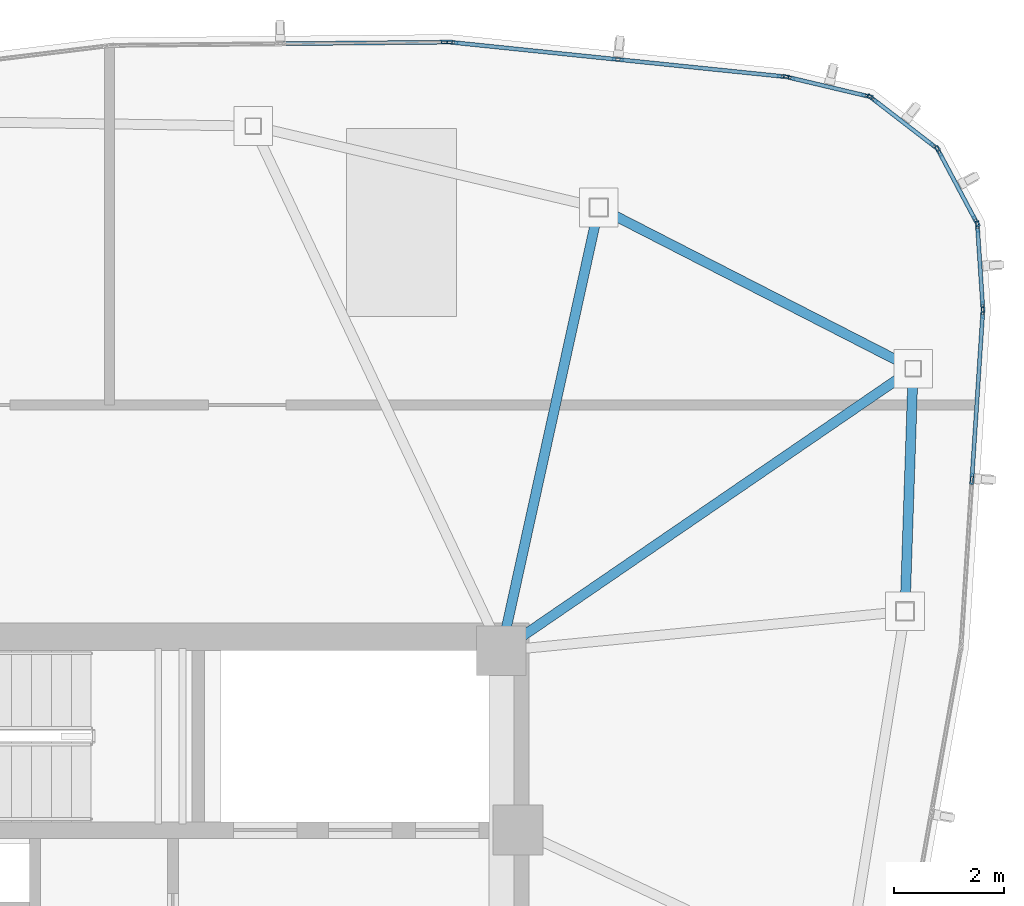
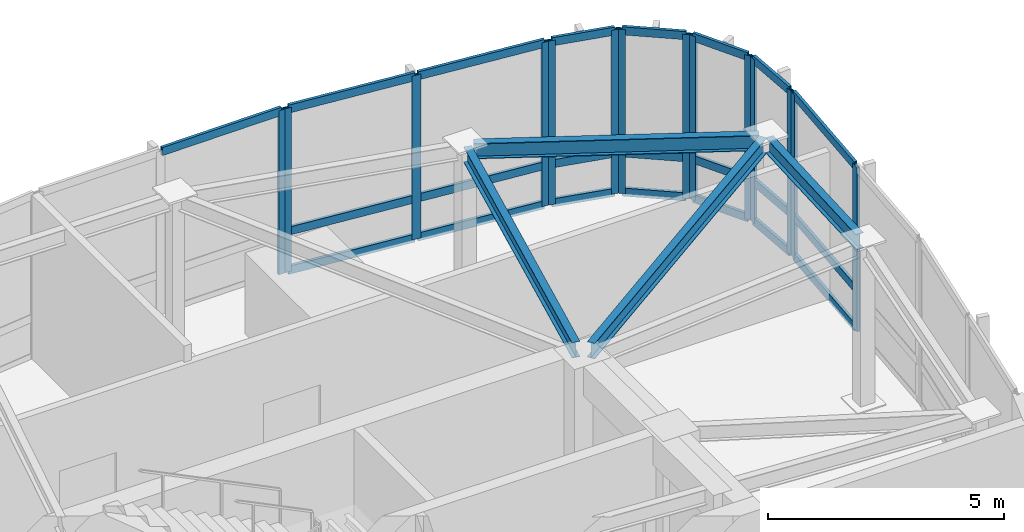
# One storey, part 5 of 11: 36 members, 4 beams, 7 elements without a shape of their own.
"""IFC4 building model written with IfcOpenShell, lengths in metres."""

from ifc_helpers import new_model, si_unit, direction, frame, origin, origin_2d, place, context, subcontext, project, spatial, hollow_rectangle, i_section, extrude, source, transform, mapped, material, layer, layer_set, material_profile, profile_set, type_object, type_shapes, element, aggregate, save


model = new_model("IFC4")

# Units and contexts
model_context = context("Model", 3, precision=1e-05, world=origin(), true_north=direction((0.0, 1.0)))
body_context = subcontext(model_context, "Body", "Model", "MODEL_VIEW")
ifc_project = project(units=[si_unit("LENGTHUNIT", "METRE"), si_unit("AREAUNIT", "SQUARE_METRE"), si_unit("VOLUMEUNIT", "CUBIC_METRE"), si_unit("PLANEANGLEUNIT", "RADIAN"), si_unit("MASSUNIT", "GRAM", prefix="KILO")], contexts=[model_context])

# Site, building, storey
site_placement = place(None, origin())
site = spatial("IfcSite", under=ifc_project, at=site_placement, CompositionType="ELEMENT")
building_placement = place(site_placement, origin())
building = spatial("IfcBuilding", under=site, at=building_placement, Name="Tavelor Broadcast Tower", CompositionType="ELEMENT")
storey_placement = place(building_placement, frame((0.0, 0.0, 345.89990234375)))
storey = spatial("IfcBuildingStorey", under=building, at=storey_placement, Name="L82", CompositionType="ELEMENT", Elevation=345.89990234375)

# Beams
ifc_material_1 = material(Name="Steel S355", Category="steel")
ifc_material_profile_1 = material_profile(ifc_material_1, i_section(OverallWidth=0.179931640625, OverallDepth=0.39990234375, WebThickness=0.008544921875, FlangeThickness=0.013427734375, at=origin_2d()), Name="IPE 400")
ifc_profile_set_1 = profile_set([ifc_material_profile_1], Name="Steel S355")
beam_type = type_object("IfcBeamType", Name="Crown Ring Spandrel Beam IPE400", PredefinedType="SPANDREL", material=ifc_profile_set_1)
beam_1_placement = place(storey_placement, frame((63.9169921875, 52.089111328125, 4.050048828125), z_axis=(0.033482656619, 0.99943929866, 0.0), x_axis=(-0.99943929866, 0.033482656619, 0.0)))
element("IfcBeam", 1, at=beam_1_placement, inside=storey, type_object=beam_type, Name="L82 Crown Peak A Ring Spandrel 5", PredefinedType="SPANDREL", context=body_context, shape_type="SweptSolid", body=[
    extrude(i_section(OverallWidth=0.179931640625, OverallDepth=0.39990234375, WebThickness=0.008544921875, FlangeThickness=0.013427734375, at=origin_2d()), origin(), (0.0, 0.0, 1.0), 4.068603515625),
])
beam_2_placement = place(storey_placement, frame((63.922119140625, 56.37841796875, 4.050048828125), z_axis=(-0.889973264193, 0.456012707083, 0.0), x_axis=(-0.456012707083, -0.889973264193, 0.0)))
element("IfcBeam", 2, at=beam_2_placement, inside=storey, type_object=beam_type, Name="L82 Crown Peak A Ring Spandrel 6", PredefinedType="SPANDREL", context=body_context, shape_type="SweptSolid", body=[
    extrude(i_section(OverallWidth=0.179931640625, OverallDepth=0.39990234375, WebThickness=0.008544921875, FlangeThickness=0.013427734375, at=origin_2d()), origin(), (0.0, 0.0, 1.0), 6.06689453125),
])
beam_3_placement = place(storey_placement, frame((56.956298828125, 51.444091796875, 4.050048828125), z_axis=(0.825037324604, 0.565078236185, 0.0), x_axis=(-0.565078236185, 0.825037324604, 0.0)))
element("IfcBeam", 3, at=beam_3_placement, inside=storey, type_object=beam_type, Name="L82 Crown Peak A Radial Beam 6", PredefinedType="SPANDREL", context=body_context, shape_type="SweptSolid", body=[
    extrude(i_section(OverallWidth=0.179931640625, OverallDepth=0.39990234375, WebThickness=0.008544921875, FlangeThickness=0.013427734375, at=origin_2d()), origin(), (0.0, 0.0, 1.0), 8.455078125),
])
beam_4_placement = place(storey_placement, frame((56.692626953125, 51.621826171875, 4.050048828125), z_axis=(0.21466342247, 0.976688084832, 0.0), x_axis=(-0.976688084832, 0.21466342247, 0.0)))
element("IfcBeam", 4, at=beam_4_placement, inside=storey, type_object=beam_type, Name="L82 Crown Peak A Radial Beam 7", PredefinedType="SPANDREL", context=body_context, shape_type="SweptSolid", body=[
    extrude(i_section(OverallWidth=0.179931640625, OverallDepth=0.39990234375, WebThickness=0.008544921875, FlangeThickness=0.013427734375, at=origin_2d()), origin(), (0.0, 0.0, 1.0), 7.607421875),
])

# Curtain wall, members
ifc_material_2 = material(Name="Architectural Anodized Aluminium", Category="aluminium")
ifc_layer = layer(ifc_material_2, 0.2099609375)
ifc_layer_set = layer_set([ifc_layer], Name="Architectural Anodized Aluminium")
curtain_wall_type = type_object("IfcCurtainWallType", Name="Split-Crown Beacon Curtain Wall CW06", PredefinedType="NOTDEFINED", material=ifc_layer_set)
curtain_wall_1_placement = place(storey_placement, origin())
curtain_wall_1 = element("IfcCurtainWall", 5, at=curtain_wall_1_placement, inside=storey, type_object=curtain_wall_type, Name="L82 Curtain Wall CW06 Run 956", PredefinedType="NOTDEFINED")
ifc_material_profile_2 = material_profile(ifc_material_2, hollow_rectangle(XDim=0.072021484375, YDim=0.2099609375, WallThickness=0.02197265625, at=origin_2d()), Name="RHS 72x210x22")
ifc_profile_set_2 = profile_set([ifc_material_profile_2], Name="Architectural Anodized Aluminium")
member_type_1 = type_object("IfcMemberType", Name="CW06 Extruded Aluminium Mullion 72x210", PredefinedType="MULLION", material=ifc_profile_set_2)
shared_shape_1 = source(origin(), body_context, "Body", "SweptSolid", [
    extrude(hollow_rectangle(XDim=0.072021484375, YDim=0.2099609375, WallThickness=0.02197265625, at=origin_2d()), origin(), (0.0, 0.0, 1.0), 4.25),
])
type_shapes(member_type_1, [shared_shape_1])
member_1_placement = place(storey_placement, frame((65.12353515625, 54.317138671875, 0.0), z_axis=(0.0, 0.0, 1.0), x_axis=(-0.99789420234, 0.064862631275, 0.0)))
member_1 = element("IfcMember", 6, at=member_1_placement, type_object=member_type_1, Name="CW06 mullion 2", PredefinedType="MULLION", context=body_context, shape_type="MappedRepresentation", body=[
    mapped(shared_shape_1, transform((0.0, 0.0, 0.0), scale=1.0)),
])
member_2_placement = place(storey_placement, frame((65.319091796875, 57.324462890625, 0.0), z_axis=(0.0, 0.0, 1.0), x_axis=(-0.99789420234, 0.064862631275, 0.0)))
member_2 = element("IfcMember", 7, at=member_2_placement, type_object=member_type_1, Name="CW06 mullion 3", PredefinedType="MULLION", context=body_context, shape_type="MappedRepresentation", body=[
    mapped(shared_shape_1, transform((0.0, 0.0, 0.0), scale=1.0)),
])

curtain_wall_2_placement = place(storey_placement, origin())
curtain_wall_2 = element("IfcCurtainWall", 8, at=curtain_wall_2_placement, inside=storey, type_object=curtain_wall_type, Name="L82 Curtain Wall CW06 Run 957", PredefinedType="NOTDEFINED")
member_3_placement = place(storey_placement, frame((65.319091796875, 57.426025390625, 0.0), z_axis=(0.0, 0.0, 1.0), x_axis=(-0.997860792135, -0.065374609131, 0.0)))
member_3 = element("IfcMember", 9, at=member_3_placement, type_object=member_type_1, Name="CW06 mullion 1", PredefinedType="MULLION", context=body_context, shape_type="MappedRepresentation", body=[
    mapped(shared_shape_1, transform((0.0, 0.0, 0.0), scale=1.0)),
])
member_4_placement = place(storey_placement, frame((65.2236328125, 58.882080078125, 0.0), z_axis=(0.0, 0.0, 1.0), x_axis=(-0.997860792135, -0.065374609131, 0.0)))
member_4 = element("IfcMember", 10, at=member_4_placement, type_object=member_type_1, Name="CW06 mullion 2", PredefinedType="MULLION", context=body_context, shape_type="MappedRepresentation", body=[
    mapped(shared_shape_1, transform((0.0, 0.0, 0.0), scale=1.0)),
])

curtain_wall_3_placement = place(storey_placement, origin())
curtain_wall_3 = element("IfcCurtainWall", 11, at=curtain_wall_3_placement, inside=storey, type_object=curtain_wall_type, Name="L82 Curtain Wall CW06 Run 958", PredefinedType="NOTDEFINED")
member_5_placement = place(storey_placement, frame((65.1962890625, 58.97802734375, 0.0), z_axis=(0.0, 0.0, 1.0), x_axis=(-0.882552661095, -0.470213568918, 0.0)))
member_5 = element("IfcMember", 12, at=member_5_placement, type_object=member_type_1, Name="CW06 mullion 1", PredefinedType="MULLION", context=body_context, shape_type="MappedRepresentation", body=[
    mapped(shared_shape_1, transform((0.0, 0.0, 0.0), scale=1.0)),
])
member_6_placement = place(storey_placement, frame((64.52001953125, 60.247314453125, 0.0), z_axis=(0.0, 0.0, 1.0), x_axis=(-0.882552661095, -0.470213568918, 0.0)))
member_6 = element("IfcMember", 13, at=member_6_placement, type_object=member_type_1, Name="CW06 mullion 2", PredefinedType="MULLION", context=body_context, shape_type="MappedRepresentation", body=[
    mapped(shared_shape_1, transform((0.0, 0.0, 0.0), scale=1.0)),
])

curtain_wall_4_placement = place(storey_placement, origin())
curtain_wall_4 = element("IfcCurtainWall", 14, at=curtain_wall_4_placement, inside=storey, type_object=curtain_wall_type, Name="L82 Curtain Wall CW06 Run 959", PredefinedType="NOTDEFINED")
member_7_placement = place(storey_placement, frame((64.45556640625, 60.323486328125, 0.0), z_axis=(0.0, 0.0, 1.0), x_axis=(-0.610846151795, -0.791749315653, 0.0)))
member_7 = element("IfcMember", 15, at=member_7_placement, type_object=member_type_1, Name="CW06 mullion 1", PredefinedType="MULLION", context=body_context, shape_type="MappedRepresentation", body=[
    mapped(shared_shape_1, transform((0.0, 0.0, 0.0), scale=1.0)),
])
member_8_placement = place(storey_placement, frame((63.31689453125, 61.201904296875, 0.0), z_axis=(0.0, 0.0, 1.0), x_axis=(-0.610846151795, -0.791749315653, 0.0)))
member_8 = element("IfcMember", 16, at=member_8_placement, type_object=member_type_1, Name="CW06 mullion 2", PredefinedType="MULLION", context=body_context, shape_type="MappedRepresentation", body=[
    mapped(shared_shape_1, transform((0.0, 0.0, 0.0), scale=1.0)),
])

curtain_wall_5_placement = place(storey_placement, origin())
curtain_wall_5 = element("IfcCurtainWall", 17, at=curtain_wall_5_placement, inside=storey, type_object=curtain_wall_type, Name="L82 Curtain Wall CW06 Run 960", PredefinedType="NOTDEFINED")
member_9_placement = place(storey_placement, frame((63.22705078125, 61.244873046875, 0.0), z_axis=(0.0, 0.0, 1.0), x_axis=(-0.230869956882, -0.972984616019, 0.0)))
member_9 = element("IfcMember", 18, at=member_9_placement, type_object=member_type_1, Name="CW06 mullion 1", PredefinedType="MULLION", context=body_context, shape_type="MappedRepresentation", body=[
    mapped(shared_shape_1, transform((0.0, 0.0, 0.0), scale=1.0)),
])
member_10_placement = place(storey_placement, frame((61.80712890625, 61.581787109375, 0.0), z_axis=(0.0, 0.0, 1.0), x_axis=(-0.230869956882, -0.972984616019, 0.0)))
member_10 = element("IfcMember", 19, at=member_10_placement, type_object=member_type_1, Name="CW06 mullion 2", PredefinedType="MULLION", context=body_context, shape_type="MappedRepresentation", body=[
    mapped(shared_shape_1, transform((0.0, 0.0, 0.0), scale=1.0)),
])

curtain_wall_6_placement = place(storey_placement, origin())
curtain_wall_6 = element("IfcCurtainWall", 20, at=curtain_wall_6_placement, inside=storey, type_object=curtain_wall_type, Name="L82 Curtain Wall CW06 Run 961", PredefinedType="NOTDEFINED")
member_11_placement = place(storey_placement, frame((61.706787109375, 61.598876953125, 0.0), z_axis=(0.0, 0.0, 1.0), x_axis=(-0.102461125653, -0.99473700933, 0.0)))
member_11 = element("IfcMember", 21, at=member_11_placement, type_object=member_type_1, Name="CW06 mullion 1", PredefinedType="MULLION", context=body_context, shape_type="MappedRepresentation", body=[
    mapped(shared_shape_1, transform((0.0, 0.0, 0.0), scale=1.0)),
])
member_12_placement = place(storey_placement, frame((58.709228515625, 61.907470703125, 0.0), z_axis=(0.0, 0.0, 1.0), x_axis=(-0.102461125653, -0.99473700933, 0.0)))
member_12 = element("IfcMember", 22, at=member_12_placement, type_object=member_type_1, Name="CW06 mullion 2", PredefinedType="MULLION", context=body_context, shape_type="MappedRepresentation", body=[
    mapped(shared_shape_1, transform((0.0, 0.0, 0.0), scale=1.0)),
])
member_13_placement = place(storey_placement, frame((55.711669921875, 62.21630859375, 0.0), z_axis=(0.0, 0.0, 1.0), x_axis=(-0.102461125653, -0.99473700933, 0.0)))
member_13 = element("IfcMember", 23, at=member_13_placement, type_object=member_type_1, Name="CW06 mullion 3", PredefinedType="MULLION", context=body_context, shape_type="MappedRepresentation", body=[
    mapped(shared_shape_1, transform((0.0, 0.0, 0.0), scale=1.0)),
])

# Curtain wall, member
curtain_wall_7_placement = place(storey_placement, origin())
curtain_wall_7 = element("IfcCurtainWall", 24, at=curtain_wall_7_placement, inside=storey, type_object=curtain_wall_type, Name="L82 Curtain Wall CW06 Run 962", PredefinedType="NOTDEFINED")
member_14_placement = place(storey_placement, frame((55.60986328125, 62.220947265625, 0.0), z_axis=(0.0, 0.0, 1.0), x_axis=(0.009638896471, -0.999953544758, 0.0)))
member_14 = element("IfcMember", 25, at=member_14_placement, type_object=member_type_1, Name="CW06 mullion 1", PredefinedType="MULLION", context=body_context, shape_type="MappedRepresentation", body=[
    mapped(shared_shape_1, transform((0.0, 0.0, 0.0), scale=1.0)),
])

# Member
ifc_material_profile_3 = material_profile(ifc_material_2, hollow_rectangle(XDim=0.072021484375, YDim=0.2099609375, WallThickness=0.02197265625, at=origin_2d()), Name="RHS 72x210x22")
ifc_profile_set_3 = profile_set([ifc_material_profile_3], Name="Architectural Anodized Aluminium")
member_type_2 = type_object("IfcMemberType", Name="CW06 Extruded Aluminium Transom 72x210", PredefinedType="USERDEFINED", material=ifc_profile_set_3)
shared_shape_2 = source(origin(), body_context, "Body", "SweptSolid", [
    extrude(hollow_rectangle(XDim=0.072021484375, YDim=0.2099609375, WallThickness=0.02197265625, at=origin_2d()), origin(), (0.0, 0.0, 1.0), 1.38720703125),
])
member_15_placement = place(storey_placement, frame((63.19189453125, 61.253173828125, 0.0361328125), z_axis=(-0.972972152081, 0.230922478931, 0.0), x_axis=(-0.230922478931, -0.972972152081, 0.0)))
member_15 = element("IfcMember", 26, at=member_15_placement, type_object=member_type_2, Name="CW06 transom 1.1", ObjectType="TRANSOM", PredefinedType="USERDEFINED", context=body_context, shape_type="MappedRepresentation", body=[
    mapped(shared_shape_2, transform((0.0, 0.0, 0.0), scale=1.0)),
])

member_16_placement = place(storey_placement, frame((63.19189453125, 61.253173828125, 1.050048828125), z_axis=(-0.972972152081, 0.230922478931, 0.0), x_axis=(-0.230922478931, -0.972972152081, 0.0)))
member_16 = element("IfcMember", 27, at=member_16_placement, type_object=member_type_2, Name="CW06 transom 1.2", ObjectType="TRANSOM", PredefinedType="USERDEFINED", context=body_context, shape_type="MappedRepresentation", body=[
    mapped(shared_shape_2, transform((0.0, 0.0, 0.0), scale=1.0)),
])

member_17_placement = place(storey_placement, frame((63.19189453125, 61.253173828125, 4.214111328125), z_axis=(-0.972972152081, 0.230922478931, 0.0), x_axis=(-0.230922478931, -0.972972152081, 0.0)))
member_17 = element("IfcMember", 28, at=member_17_placement, type_object=member_type_2, Name="CW06 transom 1.3", ObjectType="TRANSOM", PredefinedType="USERDEFINED", context=body_context, shape_type="MappedRepresentation", body=[
    mapped(shared_shape_2, transform((0.0, 0.0, 0.0), scale=1.0)),
])

aggregate(curtain_wall_5, [member_9, member_10, member_15, member_16, member_17])

shared_shape_3 = source(origin(), body_context, "Body", "SweptSolid", [
    extrude(hollow_rectangle(XDim=0.072021484375, YDim=0.2099609375, WallThickness=0.02197265625, at=origin_2d()), origin(), (0.0, 0.0, 1.0), 1.365966796875),
])
member_18_placement = place(storey_placement, frame((64.427001953125, 60.345458984375, 0.0361328125), z_axis=(-0.791732862393, 0.610867477124, 0.0), x_axis=(-0.610867477124, -0.791732862393, 0.0)))
member_18 = element("IfcMember", 29, at=member_18_placement, type_object=member_type_2, Name="CW06 transom 1.1", ObjectType="TRANSOM", PredefinedType="USERDEFINED", context=body_context, shape_type="MappedRepresentation", body=[
    mapped(shared_shape_3, transform((0.0, 0.0, 0.0), scale=1.0)),
])

member_19_placement = place(storey_placement, frame((64.427001953125, 60.345458984375, 1.050048828125), z_axis=(-0.791732862393, 0.610867477124, 0.0), x_axis=(-0.610867477124, -0.791732862393, 0.0)))
member_19 = element("IfcMember", 30, at=member_19_placement, type_object=member_type_2, Name="CW06 transom 1.2", ObjectType="TRANSOM", PredefinedType="USERDEFINED", context=body_context, shape_type="MappedRepresentation", body=[
    mapped(shared_shape_3, transform((0.0, 0.0, 0.0), scale=1.0)),
])

member_20_placement = place(storey_placement, frame((64.427001953125, 60.345458984375, 4.214111328125), z_axis=(-0.791732862393, 0.610867477124, 0.0), x_axis=(-0.610867477124, -0.791732862393, 0.0)))
member_20 = element("IfcMember", 31, at=member_20_placement, type_object=member_type_2, Name="CW06 transom 1.3", ObjectType="TRANSOM", PredefinedType="USERDEFINED", context=body_context, shape_type="MappedRepresentation", body=[
    mapped(shared_shape_3, transform((0.0, 0.0, 0.0), scale=1.0)),
])

aggregate(curtain_wall_4, [member_7, member_8, member_18, member_19, member_20])

shared_shape_4 = source(origin(), body_context, "Body", "SweptSolid", [
    extrude(hollow_rectangle(XDim=0.072021484375, YDim=0.2099609375, WallThickness=0.02197265625, at=origin_2d()), origin(), (0.0, 0.0, 1.0), 2.94140625),
])
member_21_placement = place(storey_placement, frame((65.1259765625, 54.35302734375, 0.0361328125), z_axis=(0.064822209381, 0.997896828921, 0.0), x_axis=(-0.997896828921, 0.064822209381, 0.0)))
member_21 = element("IfcMember", 32, at=member_21_placement, type_object=member_type_2, Name="CW06 transom 2.1", ObjectType="TRANSOM", PredefinedType="USERDEFINED", context=body_context, shape_type="MappedRepresentation", body=[
    mapped(shared_shape_4, transform((0.0, 0.0, 0.0), scale=1.0)),
])

member_22_placement = place(storey_placement, frame((65.1259765625, 54.35302734375, 1.050048828125), z_axis=(0.064822209381, 0.997896828921, 0.0), x_axis=(-0.997896828921, 0.064822209381, 0.0)))
member_22 = element("IfcMember", 33, at=member_22_placement, type_object=member_type_2, Name="CW06 transom 2.2", ObjectType="TRANSOM", PredefinedType="USERDEFINED", context=body_context, shape_type="MappedRepresentation", body=[
    mapped(shared_shape_4, transform((0.0, 0.0, 0.0), scale=1.0)),
])

member_23_placement = place(storey_placement, frame((65.1259765625, 54.35302734375, 4.214111328125), z_axis=(0.064822209381, 0.997896828921, 0.0), x_axis=(-0.997896828921, 0.064822209381, 0.0)))
member_23 = element("IfcMember", 34, at=member_23_placement, type_object=member_type_2, Name="CW06 transom 2.3", ObjectType="TRANSOM", PredefinedType="USERDEFINED", context=body_context, shape_type="MappedRepresentation", body=[
    mapped(shared_shape_4, transform((0.0, 0.0, 0.0), scale=1.0)),
])

aggregate(curtain_wall_1, [member_1, member_2, member_21, member_22, member_23])

member_24_placement = place(storey_placement, frame((58.67333984375, 61.9111328125, 0.0361328125), z_axis=(-0.994732725672, 0.102502704731, 0.0), x_axis=(-0.102502704731, -0.994732725672, 0.0)))
member_24 = element("IfcMember", 35, at=member_24_placement, type_object=member_type_2, Name="CW06 transom 2.1", ObjectType="TRANSOM", PredefinedType="USERDEFINED", context=body_context, shape_type="MappedRepresentation", body=[
    mapped(shared_shape_4, transform((0.0, 0.0, 0.0), scale=1.0)),
])

member_25_placement = place(storey_placement, frame((58.67333984375, 61.9111328125, 1.050048828125), z_axis=(-0.994732725672, 0.102502704731, 0.0), x_axis=(-0.102502704731, -0.994732725672, 0.0)))
member_25 = element("IfcMember", 36, at=member_25_placement, type_object=member_type_2, Name="CW06 transom 2.2", ObjectType="TRANSOM", PredefinedType="USERDEFINED", context=body_context, shape_type="MappedRepresentation", body=[
    mapped(shared_shape_4, transform((0.0, 0.0, 0.0), scale=1.0)),
])

member_26_placement = place(storey_placement, frame((58.67333984375, 61.9111328125, 4.214111328125), z_axis=(-0.994732725672, 0.102502704731, 0.0), x_axis=(-0.102502704731, -0.994732725672, 0.0)))
member_26 = element("IfcMember", 37, at=member_26_placement, type_object=member_type_2, Name="CW06 transom 2.3", ObjectType="TRANSOM", PredefinedType="USERDEFINED", context=body_context, shape_type="MappedRepresentation", body=[
    mapped(shared_shape_4, transform((0.0, 0.0, 0.0), scale=1.0)),
])

shared_shape_5 = source(origin(), body_context, "Body", "SweptSolid", [
    extrude(hollow_rectangle(XDim=0.072021484375, YDim=0.2099609375, WallThickness=0.02197265625, at=origin_2d()), origin(), (0.0, 0.0, 1.0), 2.9423828125),
])
member_27_placement = place(storey_placement, frame((55.573974609375, 62.220703125, 4.214111328125), z_axis=(-0.999953675618, -0.009625311291, 0.0), x_axis=(0.009625311291, -0.999953675618, 0.0)))
member_27 = element("IfcMember", 38, at=member_27_placement, type_object=member_type_2, Name="CW06 transom 1.3", ObjectType="TRANSOM", PredefinedType="USERDEFINED", context=body_context, shape_type="MappedRepresentation", body=[
    mapped(shared_shape_5, transform((0.0, 0.0, 0.0), scale=1.0)),
])

aggregate(curtain_wall_7, [member_14, member_27])

shared_shape_6 = source(origin(), body_context, "Body", "SweptSolid", [
    extrude(hollow_rectangle(XDim=0.072021484375, YDim=0.2099609375, WallThickness=0.02197265625, at=origin_2d()), origin(), (0.0, 0.0, 1.0), 1.386962890625),
])
member_28_placement = place(storey_placement, frame((65.316650390625, 57.462158203125, 0.0361328125), z_axis=(-0.065303946108, 0.997865419094, 0.0), x_axis=(-0.997865419094, -0.065303946108, 0.0)))
member_28 = element("IfcMember", 39, at=member_28_placement, type_object=member_type_2, Name="CW06 transom 1.1", ObjectType="TRANSOM", PredefinedType="USERDEFINED", context=body_context, shape_type="MappedRepresentation", body=[
    mapped(shared_shape_6, transform((0.0, 0.0, 0.0), scale=1.0)),
])

member_29_placement = place(storey_placement, frame((65.316650390625, 57.462158203125, 1.050048828125), z_axis=(-0.065303946108, 0.997865419094, 0.0), x_axis=(-0.997865419094, -0.065303946108, 0.0)))
member_29 = element("IfcMember", 40, at=member_29_placement, type_object=member_type_2, Name="CW06 transom 1.2", ObjectType="TRANSOM", PredefinedType="USERDEFINED", context=body_context, shape_type="MappedRepresentation", body=[
    mapped(shared_shape_6, transform((0.0, 0.0, 0.0), scale=1.0)),
])

member_30_placement = place(storey_placement, frame((65.316650390625, 57.462158203125, 4.214111328125), z_axis=(-0.065303946108, 0.997865419094, 0.0), x_axis=(-0.997865419094, -0.065303946108, 0.0)))
member_30 = element("IfcMember", 41, at=member_30_placement, type_object=member_type_2, Name="CW06 transom 1.3", ObjectType="TRANSOM", PredefinedType="USERDEFINED", context=body_context, shape_type="MappedRepresentation", body=[
    mapped(shared_shape_6, transform((0.0, 0.0, 0.0), scale=1.0)),
])

aggregate(curtain_wall_2, [member_3, member_4, member_28, member_29, member_30])

shared_shape_7 = source(origin(), body_context, "Body", "SweptSolid", [
    extrude(hollow_rectangle(XDim=0.072021484375, YDim=0.2099609375, WallThickness=0.02197265625, at=origin_2d()), origin(), (0.0, 0.0, 1.0), 1.366455078125),
])
member_31_placement = place(storey_placement, frame((65.179443359375, 59.009765625, 0.0361328125), z_axis=(-0.470291435544, 0.882511170271, 0.0), x_axis=(-0.882511170271, -0.470291435544, 0.0)))
member_31 = element("IfcMember", 42, at=member_31_placement, type_object=member_type_2, Name="CW06 transom 1.1", ObjectType="TRANSOM", PredefinedType="USERDEFINED", context=body_context, shape_type="MappedRepresentation", body=[
    mapped(shared_shape_7, transform((0.0, 0.0, 0.0), scale=1.0)),
])

member_32_placement = place(storey_placement, frame((65.179443359375, 59.009765625, 1.050048828125), z_axis=(-0.470291435544, 0.882511170271, 0.0), x_axis=(-0.882511170271, -0.470291435544, 0.0)))
member_32 = element("IfcMember", 43, at=member_32_placement, type_object=member_type_2, Name="CW06 transom 1.2", ObjectType="TRANSOM", PredefinedType="USERDEFINED", context=body_context, shape_type="MappedRepresentation", body=[
    mapped(shared_shape_7, transform((0.0, 0.0, 0.0), scale=1.0)),
])

member_33_placement = place(storey_placement, frame((65.179443359375, 59.009765625, 4.214111328125), z_axis=(-0.470291435544, 0.882511170271, 0.0), x_axis=(-0.882511170271, -0.470291435544, 0.0)))
member_33 = element("IfcMember", 44, at=member_33_placement, type_object=member_type_2, Name="CW06 transom 1.3", ObjectType="TRANSOM", PredefinedType="USERDEFINED", context=body_context, shape_type="MappedRepresentation", body=[
    mapped(shared_shape_7, transform((0.0, 0.0, 0.0), scale=1.0)),
])

aggregate(curtain_wall_3, [member_5, member_6, member_31, member_32, member_33])

shared_shape_8 = source(origin(), body_context, "Body", "SweptSolid", [
    extrude(hollow_rectangle(XDim=0.072021484375, YDim=0.2099609375, WallThickness=0.02197265625, at=origin_2d()), origin(), (0.0, 0.0, 1.0), 2.941162109375),
])
type_shapes(member_type_2, [shared_shape_2, shared_shape_3, shared_shape_4, shared_shape_5, shared_shape_6, shared_shape_7, shared_shape_8])
member_34_placement = place(storey_placement, frame((61.6708984375, 61.6025390625, 0.0361328125), z_axis=(-0.994740314312, 0.102429034368, 0.0), x_axis=(-0.102429034368, -0.994740314312, 0.0)))
member_34 = element("IfcMember", 45, at=member_34_placement, type_object=member_type_2, Name="CW06 transom 1.1", ObjectType="TRANSOM", PredefinedType="USERDEFINED", context=body_context, shape_type="MappedRepresentation", body=[
    mapped(shared_shape_8, transform((0.0, 0.0, 0.0), scale=1.0)),
])

member_35_placement = place(storey_placement, frame((61.6708984375, 61.6025390625, 1.050048828125), z_axis=(-0.994740314312, 0.102429034368, 0.0), x_axis=(-0.102429034368, -0.994740314312, 0.0)))
member_35 = element("IfcMember", 46, at=member_35_placement, type_object=member_type_2, Name="CW06 transom 1.2", ObjectType="TRANSOM", PredefinedType="USERDEFINED", context=body_context, shape_type="MappedRepresentation", body=[
    mapped(shared_shape_8, transform((0.0, 0.0, 0.0), scale=1.0)),
])

member_36_placement = place(storey_placement, frame((61.6708984375, 61.6025390625, 4.214111328125), z_axis=(-0.994740314312, 0.102429034368, 0.0), x_axis=(-0.102429034368, -0.994740314312, 0.0)))
member_36 = element("IfcMember", 47, at=member_36_placement, type_object=member_type_2, Name="CW06 transom 1.3", ObjectType="TRANSOM", PredefinedType="USERDEFINED", context=body_context, shape_type="MappedRepresentation", body=[
    mapped(shared_shape_8, transform((0.0, 0.0, 0.0), scale=1.0)),
])

aggregate(curtain_wall_6, [member_11, member_12, member_13, member_34, member_35, member_36, member_24, member_25, member_26])

save(model, "model.ifc")
